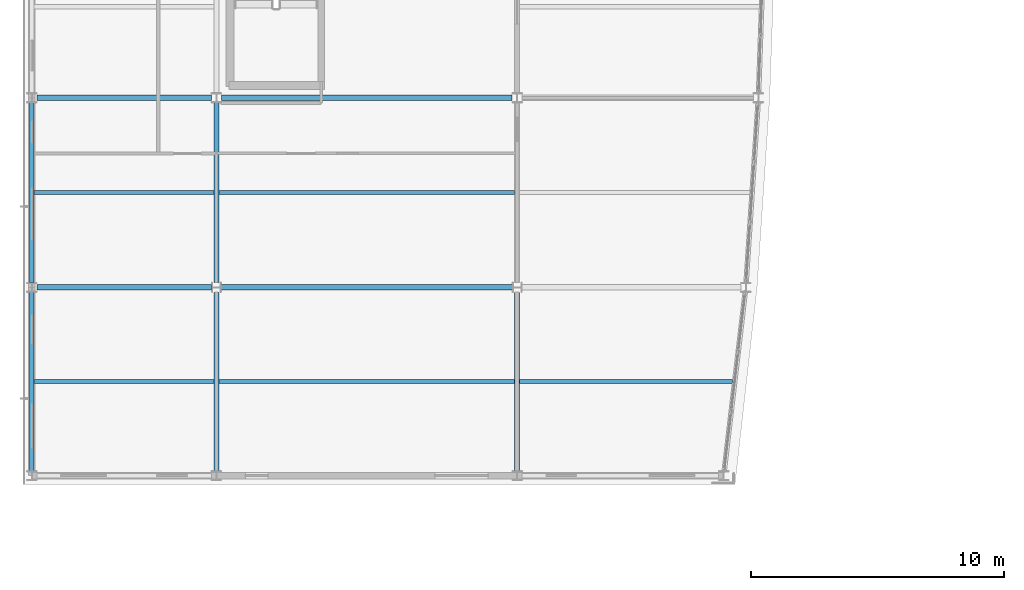
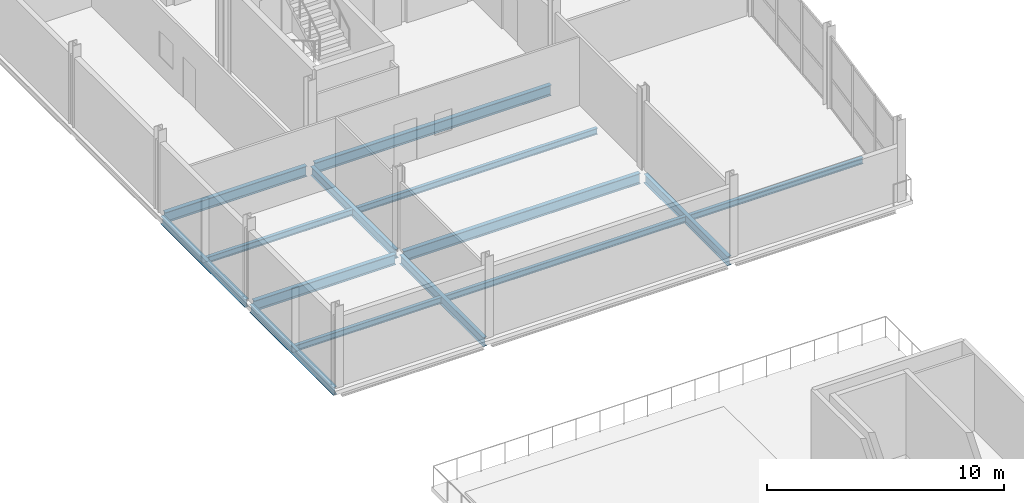
# One storey, part 5 of 36: 14 beams.
"""IFC4 building model written with IfcOpenShell, lengths in metres."""

from ifc_helpers import new_model, si_unit, direction, frame, origin, origin_2d, place, context, subcontext, project, spatial, i_section, extrude, material, material_profile, profile_set, type_object, element, save


model = new_model("IFC4")

# Units and contexts
model_context = context("Model", 3, precision=1e-05, world=origin(), true_north=direction((0.0, 1.0)))
body_context = subcontext(model_context, "Body", "Model", "MODEL_VIEW")
ifc_project = project(units=[si_unit("LENGTHUNIT", "METRE"), si_unit("AREAUNIT", "SQUARE_METRE"), si_unit("VOLUMEUNIT", "CUBIC_METRE"), si_unit("PLANEANGLEUNIT", "RADIAN"), si_unit("MASSUNIT", "GRAM", prefix="KILO")], contexts=[model_context])

# Site, building, storey
site_placement = place(None, origin())
site = spatial("IfcSite", under=ifc_project, at=site_placement, CompositionType="ELEMENT")
building_placement = place(site_placement, origin())
building = spatial("IfcBuilding", under=site, at=building_placement, Name="Quillay Park Conservatory", CompositionType="ELEMENT")
storey_placement = place(building_placement, frame((0.0, 0.0, 18.300048828125)))
storey = spatial("IfcBuildingStorey", under=building, at=storey_placement, Name="L04", CompositionType="ELEMENT", Elevation=18.300048828125)

# Beams
ifc_material_1 = material(Name="Steel ASTM A992 Grade 50", Category="steel")
ifc_material_profile_1 = material_profile(ifc_material_1, i_section(OverallWidth=0.166015625, OverallDepth=0.31298828125, WebThickness=0.006591796875, FlangeThickness=0.01123046875, FilletRadius=0.010009765625, at=origin_2d()), Name="W310x45")
ifc_profile_set_1 = profile_set([ifc_material_profile_1], Name="Steel ASTM A992 Grade 50")
beam_type_1 = type_object("IfcBeamType", Name="COMPOSITE FLOOR JOIST W310 X45", PredefinedType="JOIST", material=ifc_profile_set_1)
beam_1_placement = place(storey_placement, frame((0.639892578125, 66.77490234375, -0.3564453125), z_axis=(1.0, 0.0, 0.0), x_axis=(0.0, 1.0, 0.0)))
element("IfcBeam", 1, at=beam_1_placement, inside=storey, type_object=beam_type_1, Name="L04 beam BM-J-0338", PredefinedType="JOIST", context=body_context, shape_type="SweptSolid", body=[
    extrude(i_section(OverallWidth=0.166015625, OverallDepth=0.31298828125, WebThickness=0.006591796875, FlangeThickness=0.01123046875, FilletRadius=0.010009765625, at=origin_2d()), origin(), (0.0, 0.0, 1.0), 7.114013671875),
])
beam_2_placement = place(storey_placement, frame((19.845947265625, 66.77490234375, -0.3564453125), z_axis=(1.0, 0.0, 0.0), x_axis=(0.0, 1.0, 0.0)))
element("IfcBeam", 2, at=beam_2_placement, inside=storey, type_object=beam_type_1, Name="L04 beam BM-J-0339", PredefinedType="JOIST", context=body_context, shape_type="SweptSolid", body=[
    extrude(i_section(OverallWidth=0.166015625, OverallDepth=0.31298828125, WebThickness=0.006591796875, FlangeThickness=0.01123046875, FilletRadius=0.010009765625, at=origin_2d()), origin(), (0.0, 0.0, 1.0), 8.426513671875),
])
beam_3_placement = place(storey_placement, frame((7.946044921875, 66.77490234375, -0.3564453125), z_axis=(1.0, 0.0, 0.0), x_axis=(0.0, 1.0, 0.0)))
element("IfcBeam", 3, at=beam_3_placement, inside=storey, type_object=beam_type_1, Name="L04 beam BM-J-0340", PredefinedType="JOIST", context=body_context, shape_type="SweptSolid", body=[
    extrude(i_section(OverallWidth=0.166015625, OverallDepth=0.31298828125, WebThickness=0.006591796875, FlangeThickness=0.01123046875, FilletRadius=0.010009765625, at=origin_2d()), origin(), (0.0, 0.0, 1.0), 11.7080078125),
])
beam_4_placement = place(storey_placement, frame((0.639892578125, 74.25, -0.3564453125), z_axis=(1.0, 0.0, 0.0), x_axis=(0.0, 1.0, 0.0)))
element("IfcBeam", 4, at=beam_4_placement, inside=storey, type_object=beam_type_1, Name="L04 beam BM-J-0345", PredefinedType="JOIST", context=body_context, shape_type="SweptSolid", body=[
    extrude(i_section(OverallWidth=0.166015625, OverallDepth=0.31298828125, WebThickness=0.006591796875, FlangeThickness=0.01123046875, FilletRadius=0.010009765625, at=origin_2d()), origin(), (0.0, 0.0, 1.0), 7.114013671875),
])
beam_5_placement = place(storey_placement, frame((7.946044921875, 74.25, -0.3564453125), z_axis=(1.0, 0.0, 0.0), x_axis=(0.0, 1.0, 0.0)))
element("IfcBeam", 5, at=beam_5_placement, inside=storey, type_object=beam_type_1, Name="L04 beam BM-J-0347", PredefinedType="JOIST", context=body_context, shape_type="SweptSolid", body=[
    extrude(i_section(OverallWidth=0.166015625, OverallDepth=0.31298828125, WebThickness=0.006591796875, FlangeThickness=0.01123046875, FilletRadius=0.010009765625, at=origin_2d()), origin(), (0.0, 0.0, 1.0), 11.7080078125),
])
ifc_material_2 = material(Name="Steel ASTM A992 Grade 50", Category="steel")
ifc_material_profile_2 = material_profile(ifc_material_2, i_section(OverallWidth=0.179931640625, OverallDepth=0.4130859375, WebThickness=0.009765625, FlangeThickness=0.01611328125, FilletRadius=0.011962890625, at=origin_2d()), Name="W410x74")
ifc_profile_set_2 = profile_set([ifc_material_profile_2], Name="Steel ASTM A992 Grade 50")
beam_type_2 = type_object("IfcBeamType", Name="PERIMETER SPANDREL BEAM W410 X74", PredefinedType="SPANDREL", material=ifc_profile_set_2)
beam_6_placement = place(storey_placement, frame((0.550048828125, 63.239990234375, -0.406494140625), z_axis=(0.0, 1.0, 0.0), x_axis=(-1.0, 0.0, 0.0)))
element("IfcBeam", 6, at=beam_6_placement, inside=storey, type_object=beam_type_2, Name="L04 beam BM-SPW-0334", PredefinedType="SPANDREL", context=body_context, shape_type="SweptSolid", body=[
    extrude(i_section(OverallWidth=0.179931640625, OverallDepth=0.4130859375, WebThickness=0.009765625, FlangeThickness=0.01611328125, FilletRadius=0.011962890625, at=origin_2d()), origin(), (0.0, 0.0, 1.0), 7.070068359375),
])
beam_7_placement = place(storey_placement, frame((0.550048828125, 70.68994140625, -0.406494140625), z_axis=(0.0, 1.0, 0.0), x_axis=(-1.0, 0.0, 0.0)))
element("IfcBeam", 7, at=beam_7_placement, inside=storey, type_object=beam_type_2, Name="L04 beam BM-SPW-0341", PredefinedType="SPANDREL", context=body_context, shape_type="SweptSolid", body=[
    extrude(i_section(OverallWidth=0.179931640625, OverallDepth=0.4130859375, WebThickness=0.009765625, FlangeThickness=0.01611328125, FilletRadius=0.011962890625, at=origin_2d()), origin(), (0.0, 0.0, 1.0), 7.1201171875),
])
ifc_material_3 = material(Name="Steel ASTM A992 Grade 50", Category="steel")
ifc_material_profile_3 = material_profile(ifc_material_3, i_section(OverallWidth=0.19189453125, OverallDepth=0.462890625, WebThickness=0.010498046875, FlangeThickness=0.017578125, FilletRadius=0.012939453125, at=origin_2d()), Name="W460x89")
ifc_profile_set_3 = profile_set([ifc_material_profile_3], Name="Steel ASTM A992 Grade 50")
beam_type_3 = type_object("IfcBeamType", Name="PRIMARY FLOOR GIRDER W460 X89", PredefinedType="BEAM", material=ifc_profile_set_3)
for number, where, z_axis, x_axis, name in (
    (8, (7.85009765625, 63.239990234375, -0.431640625), (0.0, 1.0, 0.0), (-1.0, 0.0, 0.0), "L04 beam BM-GNS-0336"),
    (9, (19.75, 63.239990234375, -0.431640625), (0.0, 1.0, 0.0), (-1.0, 0.0, 0.0), "L04 beam BM-GNS-0337"),
):
    element("IfcBeam", number, at=place(storey_placement, frame(where, z_axis=z_axis, x_axis=x_axis)), inside=storey, type_object=beam_type_3, Name=name, PredefinedType="BEAM", context=body_context, shape_type="SweptSolid", body=[
        extrude(i_section(OverallWidth=0.19189453125, OverallDepth=0.462890625, WebThickness=0.010498046875, FlangeThickness=0.017578125, FilletRadius=0.012939453125, at=origin_2d()), origin(), (0.0, 0.0, 1.0), 7.0625),
    ])
beam_8_placement = place(storey_placement, frame((7.85009765625, 70.697509765625, -0.431640625), z_axis=(0.0, 1.0, 0.0), x_axis=(-1.0, 0.0, 0.0)))
element("IfcBeam", 10, at=beam_8_placement, inside=storey, type_object=beam_type_3, Name="L04 beam BM-GNS-0343", PredefinedType="BEAM", context=body_context, shape_type="SweptSolid", body=[
    extrude(i_section(OverallWidth=0.19189453125, OverallDepth=0.462890625, WebThickness=0.010498046875, FlangeThickness=0.017578125, FilletRadius=0.012939453125, at=origin_2d()), origin(), (0.0, 0.0, 1.0), 7.112548828125),
])
ifc_material_4 = material(Name="Steel ASTM A992 Grade 50", Category="steel")
ifc_material_profile_4 = material_profile(ifc_material_4, i_section(OverallWidth=0.2109375, OverallDepth=0.5390625, WebThickness=0.01171875, FlangeThickness=0.018798828125, FilletRadius=0.013916015625, at=origin_2d()), Name="W530x109")
ifc_profile_set_4 = profile_set([ifc_material_profile_4], Name="Steel ASTM A992 Grade 50")
beam_type_4 = type_object("IfcBeamType", Name="PRIMARY FLOOR GIRDER W530 X109", PredefinedType="BEAM", material=ifc_profile_set_4)
beam_9_placement = place(storey_placement, frame((0.74755859375, 70.5, -0.469482421875), z_axis=(1.0, 0.0, 0.0), x_axis=(0.0, 1.0, 0.0)))
element("IfcBeam", 11, at=beam_9_placement, inside=storey, type_object=beam_type_4, Name="L04 beam BM-G-0315", PredefinedType="BEAM", context=body_context, shape_type="SweptSolid", body=[
    extrude(i_section(OverallWidth=0.2109375, OverallDepth=0.5390625, WebThickness=0.01171875, FlangeThickness=0.018798828125, FilletRadius=0.013916015625, at=origin_2d()), origin(), (0.0, 0.0, 1.0), 6.912353515625),
])
beam_10_placement = place(storey_placement, frame((8.0400390625, 70.5, -0.469482421875), z_axis=(1.0, 0.0, 0.0), x_axis=(0.0, 1.0, 0.0)))
element("IfcBeam", 12, at=beam_10_placement, inside=storey, type_object=beam_type_4, Name="L04 beam BM-G-0316", PredefinedType="BEAM", context=body_context, shape_type="SweptSolid", body=[
    extrude(i_section(OverallWidth=0.2109375, OverallDepth=0.5390625, WebThickness=0.01171875, FlangeThickness=0.018798828125, FilletRadius=0.013916015625, at=origin_2d()), origin(), (0.0, 0.0, 1.0), 11.52001953125),
])
beam_11_placement = place(storey_placement, frame((0.74755859375, 78.0, -0.469482421875), z_axis=(1.0, 0.0, 0.0), x_axis=(0.0, 1.0, 0.0)))
element("IfcBeam", 13, at=beam_11_placement, inside=storey, type_object=beam_type_4, Name="L04 beam BM-G-0318", PredefinedType="BEAM", context=body_context, shape_type="SweptSolid", body=[
    extrude(i_section(OverallWidth=0.2109375, OverallDepth=0.5390625, WebThickness=0.01171875, FlangeThickness=0.018798828125, FilletRadius=0.013916015625, at=origin_2d()), origin(), (0.0, 0.0, 1.0), 6.905029296875),
])
beam_12_placement = place(storey_placement, frame((8.047607421875, 78.0, -0.469482421875), z_axis=(1.0, 0.0, 0.0), x_axis=(0.0, 1.0, 0.0)))
element("IfcBeam", 14, at=beam_12_placement, inside=storey, type_object=beam_type_4, Name="L04 beam BM-G-0319", PredefinedType="BEAM", context=body_context, shape_type="SweptSolid", body=[
    extrude(i_section(OverallWidth=0.2109375, OverallDepth=0.5390625, WebThickness=0.01171875, FlangeThickness=0.018798828125, FilletRadius=0.013916015625, at=origin_2d()), origin(), (0.0, 0.0, 1.0), 11.5048828125),
])

save(model, "model.ifc")
